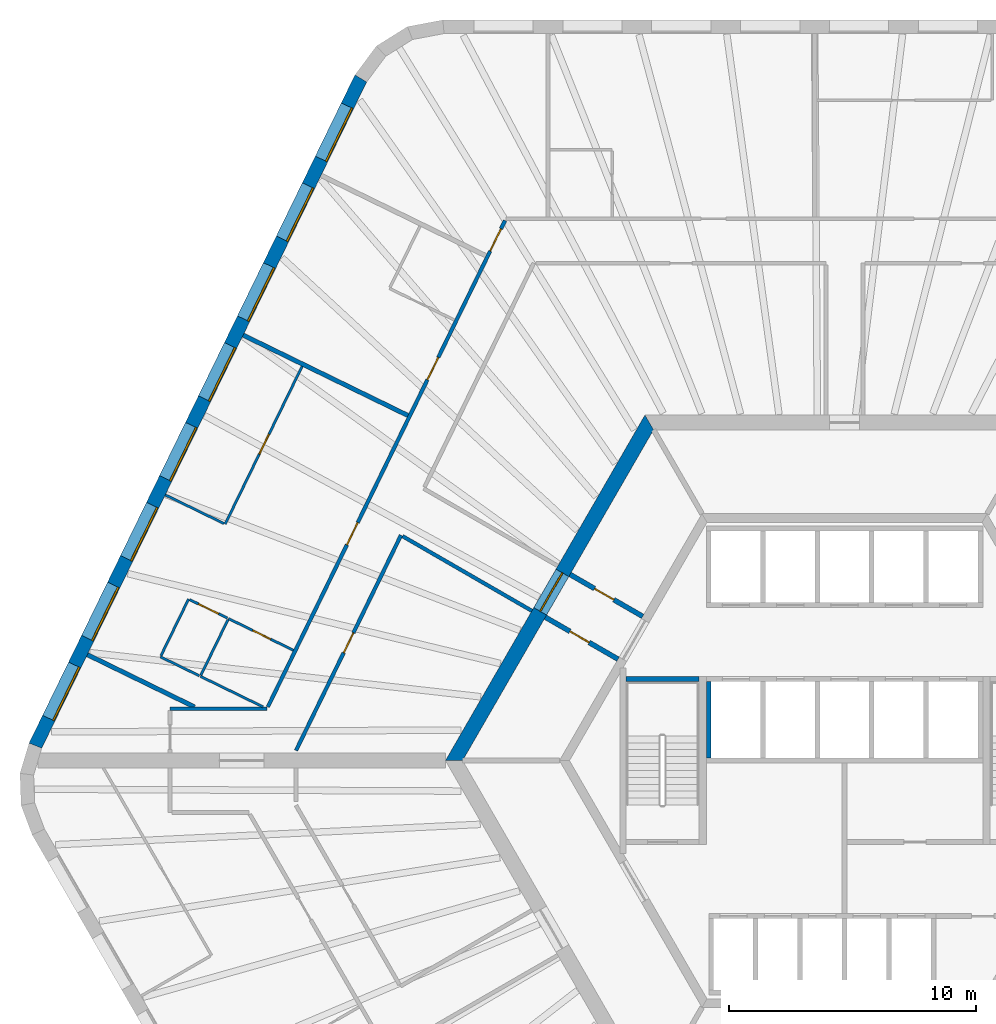
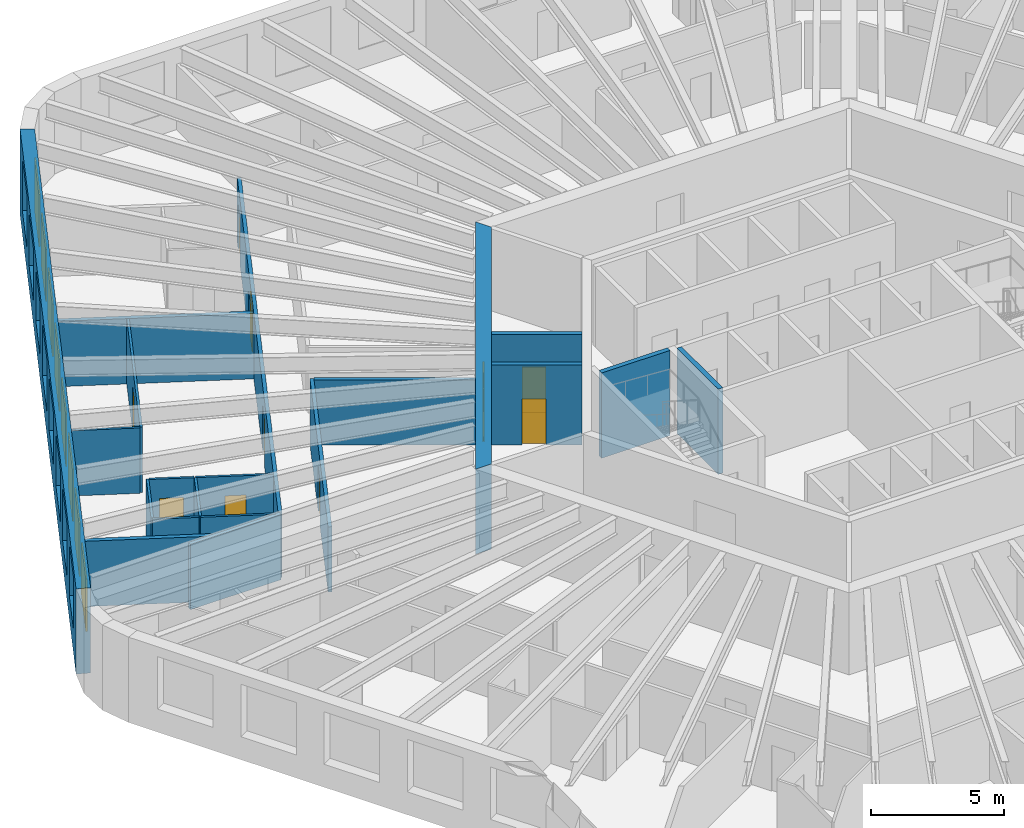
# One storey, part 7 of 12: 20 walls, 10 doors, 8 windows, 18 openings.
"""IFC4 building model written with IfcOpenShell, lengths in metres."""

from ifc_helpers import new_model, si_unit, direction, frame, frame_2d, origin, place, context, subcontext, project, spatial, polyline, rectangle, outline, extrude, material, layer, layer_set, type_object, element, fill, save


model = new_model("IFC4")

# Units and contexts
model_context = context("Model", 3, precision=1e-05, world=origin(), true_north=direction((0.0, 1.0)))
body_context = subcontext(model_context, "Body", "Model", "MODEL_VIEW")
ifc_project = project(units=[si_unit("LENGTHUNIT", "METRE"), si_unit("AREAUNIT", "SQUARE_METRE"), si_unit("VOLUMEUNIT", "CUBIC_METRE"), si_unit("PLANEANGLEUNIT", "RADIAN"), si_unit("MASSUNIT", "GRAM", prefix="KILO")], contexts=[model_context])

# Site, building, storey
site_placement = place(None, origin())
site = spatial("IfcSite", under=ifc_project, at=site_placement, CompositionType="ELEMENT")
building_placement = place(site_placement, origin())
building = spatial("IfcBuilding", under=site, at=building_placement, Name="Tarnside Tower", CompositionType="ELEMENT")
storey_placement = place(building_placement, frame((0.0, 0.0, 72.60009765625)))
storey = spatial("IfcBuildingStorey", under=building, at=storey_placement, Name="L15", CompositionType="ELEMENT", Elevation=72.60009765625)

# Wall
ifc_material_1 = material(Name="Gypsum board partition on steel studs", Category="steel")
ifc_layer_1 = layer(ifc_material_1, 0.10009765625)
ifc_layer_set_1 = layer_set([ifc_layer_1], Name="Bathroom wall 100")
wall_type_1 = type_object("IfcWallType", Name="Bathroom wall 100", PredefinedType="PARTITIONING", material=ifc_layer_set_1)
wall_1_placement = place(storey_placement, frame((-23.551025390625, 2.175048828125, 0.0), z_axis=(0.0, 0.0, 1.0), x_axis=(-0.89881903386, 0.438319910991, 0.0)))
element("IfcWall", 1, at=wall_1_placement, inside=storey, type_object=wall_type_1, Name="Bathroom wall 04096", PredefinedType="PARTITIONING", context=body_context, shape_type="SweptSolid", body=[
    extrude(rectangle(XDim=2.828857421875, YDim=0.10009765625, at=frame_2d((1.41455078125, 0.0))), origin(), (0.0, 0.0, 1.0), 2.98779296875),
])

# Wall, opening, door
wall_2_placement = place(storey_placement, frame((-24.9541015625, 5.751953125, 0.0), z_axis=(0.0, 0.0, 1.0), x_axis=(0.89880694479, -0.438344699976, 0.0)))
wall_2 = element("IfcWall", 2, at=wall_2_placement, inside=storey, type_object=wall_type_1, Name="Bathroom wall 04097", PredefinedType="PARTITIONING", context=body_context, shape_type="SweptSolid", body=[
    extrude(rectangle(XDim=2.925048828125, YDim=0.10009765625, at=frame_2d((1.46240234375, 0.0))), origin(), (0.0, 0.0, 1.0), 2.98779296875),
])
opening_1_placement = place(wall_2_placement, frame((1.10009765625, 0.0, 0.0)))
opening_1 = element("IfcOpeningElement", 3, at=opening_1_placement, cuts=wall_2, Name="Opening D-B1", PredefinedType="OPENING", context=body_context, shape_type="SweptSolid", body=[
    extrude(rectangle(XDim=0.800048828125, YDim=2.10009765625, at=frame_2d((0.39990234375, 1.050048828125))), frame((0.0, 0.06005859375, 0.0), z_axis=(0.0, -1.0, 0.0), x_axis=(1.0, 0.0, 0.0)), (0.0, 0.0, 1.0), 0.1201171875),
])
ifc_material_2 = material(Name="Timber door leaf", Category="wood")
door_type_1 = type_object("IfcDoorType", Name="Bathroom door 800", OperationType="NOTDEFINED", PredefinedType="DOOR", material=ifc_material_2)
door_1_placement = place(opening_1_placement, origin())
door_1 = element("IfcDoor", 4, at=door_1_placement, inside=storey, type_object=door_type_1, Name="Bathroom door 04011", OperationType="SINGLE_SWING_LEFT", OverallHeight=2.10009765625, OverallWidth=0.800048828125, PredefinedType="DOOR", context=body_context, shape_type="SweptSolid", body=[
    extrude(rectangle(XDim=0.800048828125, YDim=2.10009765625, at=frame_2d((0.39990234375, 1.050048828125))), frame((0.0, 0.02490234375, 0.0), z_axis=(0.0, -1.0, 0.0), x_axis=(1.0, 0.0, 0.0)), (0.0, 0.0, 1.0), 0.050048828125),
])
fill(opening_1, door_1)

# Wall
wall_3_placement = place(storey_placement, frame((-24.975830078125, 5.70703125, 0.0), z_axis=(0.0, 0.0, 1.0), x_axis=(-0.438363988158, -0.898797537761, 0.0)))
element("IfcWall", 5, at=wall_3_placement, inside=storey, type_object=wall_type_1, Name="Bathroom wall 04104", PredefinedType="PARTITIONING", context=body_context, shape_type="SweptSolid", body=[
    extrude(rectangle(XDim=2.5, YDim=0.10009765625, at=frame_2d((1.25, 0.0))), origin(), (0.0, 0.0, 1.0), 2.98779296875),
])

# Wall, opening, door
ifc_material_3 = material(Name="Concrete C40/50", Category="concrete")
ifc_layer_2 = layer(ifc_material_3, 0.199951171875)
ifc_layer_set_2 = layer_set([ifc_layer_2], Name="Core room partition 200 C40/50")
wall_type_2 = type_object("IfcWallType", Name="Core room partition 200 C40/50", PredefinedType="PARTITIONING", material=ifc_layer_set_2)
wall_4_placement = place(storey_placement, frame((-9.1748046875, 4.10888671875, 0.0), z_axis=(0.0, 0.0, 1.0), x_axis=(-0.865989465428, 0.500062241894, 0.0)))
wall_4 = element("IfcWall", 6, at=wall_4_placement, inside=storey, type_object=wall_type_2, Name="L15 core partition AC1L", PredefinedType="PARTITIONING", context=body_context, shape_type="SweptSolid", body=[
    extrude(rectangle(XDim=3.39990234375, YDim=0.199951171875, at=frame_2d((1.699951171875, 0.0))), origin(), (0.0, 0.0, 1.0), 3.64990234375),
])
opening_2_placement = place(wall_4_placement, frame((1.3505859375, 0.0, 0.0)))
opening_2 = element("IfcOpeningElement", 7, at=opening_2_placement, cuts=wall_4, Name="Opening CD-room", PredefinedType="OPENING", context=body_context, shape_type="SweptSolid", body=[
    extrude(rectangle(XDim=0.89990234375, YDim=2.10009765625, at=frame_2d((0.449951171875, 1.050048828125))), frame((0.0, 0.10986328125, 0.0), z_axis=(0.0, -1.0, 0.0), x_axis=(1.0, 0.0, 0.0)), (0.0, 0.0, 1.0), 0.219970703125),
])
ifc_material_4 = material(Name="Steel fire door", Category="steel")
door_type_2 = type_object("IfcDoorType", Name="Room door FD60 900x2100", OperationType="NOTDEFINED", PredefinedType="DOOR", material=ifc_material_4)
door_2_placement = place(opening_2_placement, origin())
door_2 = element("IfcDoor", 8, at=door_2_placement, inside=storey, type_object=door_type_2, Name="L15 core room door AX1L", OperationType="SINGLE_SWING_LEFT", OverallHeight=2.10009765625, OverallWidth=0.89990234375, PredefinedType="DOOR", context=body_context, shape_type="SweptSolid", body=[
    extrude(rectangle(XDim=0.89990234375, YDim=2.10009765625, at=frame_2d((0.449951171875, 1.050048828125))), frame((0.0, 0.02490234375, 0.0), z_axis=(0.0, -1.0, 0.0), x_axis=(1.0, 0.0, 0.0)), (0.0, 0.0, 1.0), 0.050048828125),
])
fill(opening_2, door_2)

wall_5_placement = place(storey_placement, frame((-8.1748046875, 5.841064453125, 0.0), z_axis=(0.0, 0.0, 1.0), x_axis=(-0.866020560687, 0.500008388397, 0.0)))
wall_5 = element("IfcWall", 9, at=wall_5_placement, inside=storey, type_object=wall_type_2, Name="L15 core partition AC1R", PredefinedType="PARTITIONING", context=body_context, shape_type="SweptSolid", body=[
    extrude(rectangle(XDim=3.39990234375, YDim=0.199951171875, at=frame_2d((1.699951171875, 0.0))), origin(), (0.0, 0.0, 1.0), 3.64990234375),
])
opening_3_placement = place(wall_5_placement, frame((1.349609375, 0.0, 0.0)))
opening_3 = element("IfcOpeningElement", 10, at=opening_3_placement, cuts=wall_5, Name="Opening CD-room", PredefinedType="OPENING", context=body_context, shape_type="SweptSolid", body=[
    extrude(rectangle(XDim=0.89990234375, YDim=2.10009765625, at=frame_2d((0.449951171875, 1.050048828125))), frame((0.0, 0.10986328125, 0.0), z_axis=(0.0, -1.0, 0.0), x_axis=(1.0, 0.0, 0.0)), (0.0, 0.0, 1.0), 0.219970703125),
])
door_3_placement = place(opening_3_placement, origin())
door_3 = element("IfcDoor", 11, at=door_3_placement, inside=storey, type_object=door_type_2, Name="L15 core room door AX1R", OperationType="SINGLE_SWING_LEFT", OverallHeight=2.10009765625, OverallWidth=0.89990234375, PredefinedType="DOOR", context=body_context, shape_type="SweptSolid", body=[
    extrude(rectangle(XDim=0.89990234375, YDim=2.10009765625, at=frame_2d((0.449951171875, 1.050048828125))), frame((0.0, 0.02490234375, 0.0), z_axis=(0.0, -1.0, 0.0), x_axis=(1.0, 0.0, 0.0)), (0.0, 0.0, 1.0), 0.050048828125),
])
fill(opening_3, door_3)

ifc_material_5 = material(Name="Concrete C80/95", Category="concrete")
ifc_layer_3 = layer(ifc_material_5, 0.60009765625)
ifc_layer_set_3 = layer_set([ifc_layer_3], Name="Core wall Z1 600 C80/95")
wall_type_3 = type_object("IfcWallType", Name="Core wall Z1 600 C80/95", PredefinedType="SHEAR", material=ifc_layer_set_3)
wall_6_placement = place(storey_placement, frame((-7.90966796875, 13.699951171875, -0.150146484375), z_axis=(0.0, 0.0, 1.0), x_axis=(-0.499999880136, -0.866025472988, 0.0)))
wall_6 = element("IfcWall", 12, at=wall_6_placement, inside=storey, type_object=wall_type_3, Name="L15 core wall face 2", PredefinedType="SHEAR", context=body_context, shape_type="SweptSolid", body=[
    extrude(outline(polyline([(-0.17333984375, -0.300048828125), (15.99267578125, -0.300048828125), (15.64599609375, 0.300048828125), (0.17333984375, 0.300048828125), (-0.17333984375, -0.300048828125)])), origin(), (0.0, 0.0, 1.0), 3.900146484375),
])
opening_4_placement = place(wall_6_placement, frame((7.03857421875, 0.0, 0.14990234375)))
opening_4 = element("IfcOpeningElement", 13, at=opening_4_placement, cuts=wall_6, Name="Opening CD-LOB", PredefinedType="OPENING", context=body_context, shape_type="SweptSolid", body=[
    extrude(rectangle(XDim=1.800048828125, YDim=2.39990234375, at=frame_2d((0.89990234375, 1.199951171875))), frame((0.0, 0.31005859375, 0.0), z_axis=(0.0, -1.0, 0.0), x_axis=(1.0, 0.0, 0.0)), (0.0, 0.0, 1.0), 0.6201171875),
])
door_type_3 = type_object("IfcDoorType", Name="Lobby double door FD30S 1800x2400", OperationType="NOTDEFINED", PredefinedType="DOOR", material=ifc_material_4)
door_4_placement = place(opening_4_placement, origin())
door_4 = element("IfcDoor", 14, at=door_4_placement, inside=storey, type_object=door_type_3, Name="L15 core door P1", OperationType="DOUBLE_DOOR_SINGLE_SWING", OverallHeight=2.39990234375, OverallWidth=1.800048828125, PredefinedType="DOOR", context=body_context, shape_type="SweptSolid", body=[
    extrude(rectangle(XDim=1.800048828125, YDim=2.39990234375, at=frame_2d((0.89990234375, 1.199951171875))), frame((0.0, 0.02490234375, 0.0), z_axis=(0.0, -1.0, 0.0), x_axis=(1.0, 0.0, 0.0)), (0.0, 0.0, 1.0), 0.050048828125),
])
fill(opening_4, door_4)

# Wall, openings, doors
ifc_layer_4 = layer(ifc_material_1, 0.14990234375)
ifc_layer_set_4 = layer_set([ifc_layer_4], Name="Corridor wall 150 EI 60")
wall_type_4 = type_object("IfcWallType", Name="Corridor wall 150 EI 60", PredefinedType="PARTITIONING", material=ifc_layer_set_4)
wall_7_placement = place(storey_placement, frame((-13.75244140625, 21.875, 0.0), z_axis=(0.0, 0.0, 1.0), x_axis=(-0.438374473378, -0.898792423806, 0.0)))
wall_7 = element("IfcWall", 15, at=wall_7_placement, inside=storey, type_object=wall_type_4, Name="Corridor wall 04008", PredefinedType="PARTITIONING", context=body_context, shape_type="SweptSolid", body=[
    extrude(rectangle(XDim=21.918212890625, YDim=0.14990234375, at=frame_2d((10.958984375, 0.0))), origin(), (0.0, 0.0, 1.0), 2.98779296875),
])
opening_5_placement = place(wall_7_placement, frame((0.371337890625, 0.0, 0.0)))
opening_5 = element("IfcOpeningElement", 16, at=opening_5_placement, cuts=wall_7, Name="Opening D-E1", PredefinedType="OPENING", context=body_context, shape_type="SweptSolid", body=[
    extrude(rectangle(XDim=1.0, YDim=2.10009765625, at=frame_2d((0.5, 1.050048828125))), frame((0.0, 0.0849609375, 0.0), z_axis=(0.0, -1.0, 0.0), x_axis=(1.0, 0.0, 0.0)), (0.0, 0.0, 1.0), 0.169921875),
])
opening_6_placement = place(wall_7_placement, frame((6.17138671875, 0.0, 0.0)))
opening_6 = element("IfcOpeningElement", 17, at=opening_6_placement, cuts=wall_7, Name="Opening D-E1", PredefinedType="OPENING", context=body_context, shape_type="SweptSolid", body=[
    extrude(rectangle(XDim=1.0, YDim=2.10009765625, at=frame_2d((0.5, 1.050048828125))), frame((0.0, 0.0849609375, 0.0), z_axis=(0.0, -1.0, 0.0), x_axis=(1.0, 0.0, 0.0)), (0.0, 0.0, 1.0), 0.169921875),
])
opening_7_placement = place(wall_7_placement, frame((13.611572265625, 0.0, 0.0)))
opening_7 = element("IfcOpeningElement", 18, at=opening_7_placement, cuts=wall_7, Name="Opening D-E1", PredefinedType="OPENING", context=body_context, shape_type="SweptSolid", body=[
    extrude(rectangle(XDim=1.0, YDim=2.10009765625, at=frame_2d((0.5, 1.050048828125))), frame((0.0, 0.0849609375, 0.0), z_axis=(0.0, -1.0, 0.0), x_axis=(1.0, 0.0, 0.0)), (0.0, 0.0, 1.0), 0.169921875),
])
door_type_4 = type_object("IfcDoorType", Name="Unit entrance door 1000 FD30S", OperationType="NOTDEFINED", PredefinedType="DOOR", material=ifc_material_2)
door_5_placement = place(opening_5_placement, origin())
door_5 = element("IfcDoor", 19, at=door_5_placement, inside=storey, type_object=door_type_4, Name="Unit door 04007", OperationType="SINGLE_SWING_LEFT", OverallHeight=2.10009765625, OverallWidth=1.0, PredefinedType="DOOR", context=body_context, shape_type="SweptSolid", body=[
    extrude(rectangle(XDim=1.0, YDim=2.10009765625, at=frame_2d((0.5, 1.050048828125))), frame((0.0, 0.02490234375, 0.0), z_axis=(0.0, -1.0, 0.0), x_axis=(1.0, 0.0, 0.0)), (0.0, 0.0, 1.0), 0.050048828125),
])
fill(opening_5, door_5)
door_6_placement = place(opening_6_placement, origin())
door_6 = element("IfcDoor", 20, at=door_6_placement, inside=storey, type_object=door_type_4, Name="Unit door 04008", OperationType="SINGLE_SWING_LEFT", OverallHeight=2.10009765625, OverallWidth=1.0, PredefinedType="DOOR", context=body_context, shape_type="SweptSolid", body=[
    extrude(rectangle(XDim=1.0, YDim=2.10009765625, at=frame_2d((0.5, 1.050048828125))), frame((0.0, 0.02490234375, 0.0), z_axis=(0.0, -1.0, 0.0), x_axis=(1.0, 0.0, 0.0)), (0.0, 0.0, 1.0), 0.050048828125),
])
fill(opening_6, door_6)
door_7_placement = place(opening_7_placement, origin())
door_7 = element("IfcDoor", 21, at=door_7_placement, inside=storey, type_object=door_type_4, Name="Unit door 04010", OperationType="SINGLE_SWING_LEFT", OverallHeight=2.10009765625, OverallWidth=1.0, PredefinedType="DOOR", context=body_context, shape_type="SweptSolid", body=[
    extrude(rectangle(XDim=1.0, YDim=2.10009765625, at=frame_2d((0.5, 1.050048828125))), frame((0.0, 0.02490234375, 0.0), z_axis=(0.0, -1.0, 0.0), x_axis=(1.0, 0.0, 0.0)), (0.0, 0.0, 1.0), 0.050048828125),
])
fill(opening_7, door_7)

# Wall
wall_8_placement = place(storey_placement, frame((-23.3974609375, 2.10009765625, 0.0), z_axis=(0.0, 0.0, 1.0), x_axis=(-1.0, 0.0, 0.0)))
element("IfcWall", 22, at=wall_8_placement, inside=storey, type_object=wall_type_4, Name="Corridor wall 04011", PredefinedType="PARTITIONING", context=body_context, shape_type="SweptSolid", body=[
    extrude(rectangle(XDim=3.9228515625, YDim=0.14990234375, at=frame_2d((1.96142578125, 0.0))), origin(), (0.0, 0.0, 1.0), 2.98779296875),
])

# Wall, opening, door
wall_9_placement = place(storey_placement, frame((-22.218994140625, 0.41015625, 0.0), z_axis=(0.0, 0.0, 1.0), x_axis=(0.438391891827, 0.898783927972, 0.0)))
wall_9 = element("IfcWall", 23, at=wall_9_placement, inside=storey, type_object=wall_type_4, Name="Corridor wall 04023", PredefinedType="PARTITIONING", context=body_context, shape_type="SweptSolid", body=[
    extrude(rectangle(XDim=9.698974609375, YDim=0.14990234375, at=frame_2d((4.849609375, 0.0))), origin(), (0.0, 0.0, 1.0), 2.98779296875),
])
opening_8_placement = place(wall_9_placement, frame((4.399658203125, 0.0, 0.0)))
opening_8 = element("IfcOpeningElement", 24, at=opening_8_placement, cuts=wall_9, Name="Opening D-S1", PredefinedType="OPENING", context=body_context, shape_type="SweptSolid", body=[
    extrude(rectangle(XDim=0.89990234375, YDim=2.10009765625, at=frame_2d((0.449951171875, 1.050048828125))), frame((0.0, 0.0849609375, 0.0), z_axis=(0.0, -1.0, 0.0), x_axis=(1.0, 0.0, 0.0)), (0.0, 0.0, 1.0), 0.169921875),
])
door_type_5 = type_object("IfcDoorType", Name="Service room door 900 FD30S", OperationType="NOTDEFINED", PredefinedType="DOOR", material=ifc_material_2)
door_8_placement = place(opening_8_placement, origin())
door_8 = element("IfcDoor", 25, at=door_8_placement, inside=storey, type_object=door_type_5, Name="Service door 04043", OperationType="SINGLE_SWING_LEFT", OverallHeight=2.10009765625, OverallWidth=0.89990234375, PredefinedType="DOOR", context=body_context, shape_type="SweptSolid", body=[
    extrude(rectangle(XDim=0.89990234375, YDim=2.10009765625, at=frame_2d((0.449951171875, 1.050048828125))), frame((0.0, 0.02490234375, 0.0), z_axis=(0.0, -1.0, 0.0), x_axis=(1.0, 0.0, 0.0)), (0.0, 0.0, 1.0), 0.050048828125),
])
fill(opening_8, door_8)

# Walls
wall_10_placement = place(storey_placement, frame((-17.902099609375, 9.08984375, 0.0), z_axis=(0.0, 0.0, 1.0), x_axis=(0.866036368755, -0.499981007633, 0.0)))
element("IfcWall", 26, at=wall_10_placement, inside=storey, type_object=wall_type_4, Name="Corridor wall 04024", PredefinedType="PARTITIONING", context=body_context, shape_type="SweptSolid", body=[
    extrude(rectangle(XDim=6.048583984375, YDim=0.14990234375, at=frame_2d((3.0244140625, 0.0))), origin(), (0.0, 0.0, 1.0), 2.98779296875),
])
ifc_layer_5 = layer(ifc_material_1, 0.179931640625)
ifc_layer_set_5 = layer_set([ifc_layer_5], Name="Demising wall 180 EI 60")
wall_type_5 = type_object("IfcWallType", Name="Demising wall 180 EI 60", PredefinedType="PARTITIONING", material=ifc_layer_set_5)
wall_11_placement = place(storey_placement, frame((-24.3603515625, 17.234130859375, 0.0), z_axis=(0.0, 0.0, 1.0), x_axis=(0.898796252669, -0.438366623032, 0.0)))
element("IfcWall", 27, at=wall_11_placement, inside=storey, type_object=wall_type_5, Name="Demising wall 04094", PredefinedType="PARTITIONING", context=body_context, shape_type="SweptSolid", body=[
    extrude(rectangle(XDim=7.425048828125, YDim=0.179931640625, at=frame_2d((3.71240234375, 0.0))), origin(), (0.0, 0.0, 1.0), 2.98779296875),
])
wall_12_placement = place(storey_placement, frame((-30.673095703125, 4.29150390625, 0.0), z_axis=(0.0, 0.0, 1.0), x_axis=(0.898812662672, -0.438332975512, 0.0)))
element("IfcWall", 28, at=wall_12_placement, inside=storey, type_object=wall_type_5, Name="Demising wall 04103", PredefinedType="PARTITIONING", context=body_context, shape_type="SweptSolid", body=[
    extrude(rectangle(XDim=4.828369140625, YDim=0.179931640625, at=frame_2d((2.4140625, 0.0))), origin(), (0.0, 0.0, 1.0), 2.98779296875),
])
ifc_layer_6 = layer(ifc_material_3, 0.199951171875)
ifc_layer_set_6 = layer_set([ifc_layer_6], Name="Lift shaft wall 200 C40/50")
wall_type_6 = type_object("IfcWallType", Name="Lift shaft wall 200 C40/50", PredefinedType="SHEAR", material=ifc_layer_set_6)
wall_13_placement = place(storey_placement, frame((-5.5, 0.10009765625, -0.25), z_axis=(0.0, 0.0, 1.0), x_axis=(0.0, 1.0, 0.0)))
element("IfcWall", 29, at=wall_13_placement, inside=storey, type_object=wall_type_6, Name="L15 lift shaft partition R21", PredefinedType="SHEAR", context=body_context, shape_type="SweptSolid", body=[
    extrude(rectangle(XDim=3.099853515625, YDim=0.199951171875, at=frame_2d((1.5498046875, 0.0))), origin(), (0.0, 0.0, 1.0), 3.89990234375),
])
wall_14_placement = place(storey_placement, frame((-8.85009765625, 3.300048828125, -0.25), z_axis=(0.0, 0.0, 1.0), x_axis=(1.0, 0.0, 0.0)))
element("IfcWall", 30, at=wall_14_placement, inside=storey, type_object=wall_type_6, Name="L15 stair 2 enclosure cap wall n", PredefinedType="SHEAR", context=body_context, shape_type="SweptSolid", body=[
    extrude(rectangle(XDim=2.9501953125, YDim=0.199951171875, at=frame_2d((1.47509765625, 0.0))), origin(), (0.0, 0.0, 1.0), 3.89990234375),
])
ifc_layer_7 = layer(ifc_material_1, 0.10009765625)
ifc_layer_set_7 = layer_set([ifc_layer_7], Name="Partition 100")
wall_type_7 = type_object("IfcWallType", Name="Partition 100", PredefinedType="PARTITIONING", material=ifc_layer_set_7)
wall_15_placement = place(storey_placement, frame((-26.138671875, 3.43701171875, 0.0), z_axis=(0.0, 0.0, 1.0), x_axis=(-0.89881938742, 0.438319185981, 0.0)))
element("IfcWall", 31, at=wall_15_placement, inside=storey, type_object=wall_type_7, Name="Partition wall 04098", PredefinedType="PARTITIONING", context=body_context, shape_type="SweptSolid", body=[
    extrude(rectangle(XDim=1.75, YDim=0.10009765625, at=frame_2d((0.875, 0.0))), origin(), (0.0, 0.0, 1.0), 2.98779296875),
])
wall_16_placement = place(storey_placement, frame((-27.689697265625, 4.2490234375, 0.0), z_axis=(0.0, 0.0, 1.0), x_axis=(0.438384020656, 0.898787767181, 0.0)))
element("IfcWall", 32, at=wall_16_placement, inside=storey, type_object=wall_type_7, Name="Partition wall 04099", PredefinedType="PARTITIONING", context=body_context, shape_type="SweptSolid", body=[
    extrude(rectangle(XDim=2.550048828125, YDim=0.10009765625, at=frame_2d((1.27490234375, 0.0))), origin(), (0.0, 0.0, 1.0), 2.98779296875),
])

# Wall, opening, door
wall_17_placement = place(storey_placement, frame((-26.52685546875, 6.51904296875, 0.0), z_axis=(0.0, 0.0, 1.0), x_axis=(0.898807091918, -0.438344398296, 0.0)))
wall_17 = element("IfcWall", 33, at=wall_17_placement, inside=storey, type_object=wall_type_7, Name="Partition wall 04100", PredefinedType="PARTITIONING", context=body_context, shape_type="SweptSolid", body=[
    extrude(rectangle(XDim=1.699951171875, YDim=0.10009765625, at=frame_2d((0.85009765625, 0.0))), origin(), (0.0, 0.0, 1.0), 2.98779296875),
])
opening_9_placement = place(wall_17_placement, frame((0.39990234375, 0.0, 0.0)))
opening_9 = element("IfcOpeningElement", 34, at=opening_9_placement, cuts=wall_17, Name="Opening D-I1", PredefinedType="OPENING", context=body_context, shape_type="SweptSolid", body=[
    extrude(rectangle(XDim=0.89990234375, YDim=2.10009765625, at=frame_2d((0.449951171875, 1.050048828125))), frame((0.0, 0.06005859375, 0.0), z_axis=(0.0, -1.0, 0.0), x_axis=(1.0, 0.0, 0.0)), (0.0, 0.0, 1.0), 0.1201171875),
])
door_type_6 = type_object("IfcDoorType", Name="Internal door 900", OperationType="NOTDEFINED", PredefinedType="DOOR", material=ifc_material_2)
door_9_placement = place(opening_9_placement, origin())
door_9 = element("IfcDoor", 35, at=door_9_placement, inside=storey, type_object=door_type_6, Name="Internal door 04012", OperationType="SINGLE_SWING_RIGHT", OverallHeight=2.10009765625, OverallWidth=0.89990234375, PredefinedType="DOOR", context=body_context, shape_type="SweptSolid", body=[
    extrude(rectangle(XDim=0.89990234375, YDim=2.10009765625, at=frame_2d((0.449951171875, 1.050048828125))), frame((0.0, 0.02490234375, 0.0), z_axis=(0.0, -1.0, 0.0), x_axis=(1.0, 0.0, 0.0)), (0.0, 0.0, 1.0), 0.050048828125),
])
fill(opening_9, door_9)

wall_18_placement = place(storey_placement, frame((-21.97314453125, 15.9697265625, 0.0), z_axis=(0.0, 0.0, 1.0), x_axis=(-0.438360036982, -0.898799464829, 0.0)))
wall_18 = element("IfcWall", 36, at=wall_18_placement, inside=storey, type_object=wall_type_7, Name="Partition wall 04101", PredefinedType="PARTITIONING", context=body_context, shape_type="SweptSolid", body=[
    extrude(rectangle(XDim=7.10986328125, YDim=0.10009765625, at=frame_2d((3.554931640625, 0.0))), origin(), (0.0, 0.0, 1.0), 2.98779296875),
])
opening_10_placement = place(wall_18_placement, frame((3.06005859375, 0.0, 0.0)))
opening_10 = element("IfcOpeningElement", 37, at=opening_10_placement, cuts=wall_18, Name="Opening D-I1", PredefinedType="OPENING", context=body_context, shape_type="SweptSolid", body=[
    extrude(rectangle(XDim=0.89990234375, YDim=2.10009765625, at=frame_2d((0.449951171875, 1.050048828125))), frame((0.0, 0.06005859375, 0.0), z_axis=(0.0, -1.0, 0.0), x_axis=(1.0, 0.0, 0.0)), (0.0, 0.0, 1.0), 0.1201171875),
])
door_10_placement = place(opening_10_placement, origin())
door_10 = element("IfcDoor", 38, at=door_10_placement, inside=storey, type_object=door_type_6, Name="Internal door 04013", OperationType="SINGLE_SWING_RIGHT", OverallHeight=2.10009765625, OverallWidth=0.89990234375, PredefinedType="DOOR", context=body_context, shape_type="SweptSolid", body=[
    extrude(rectangle(XDim=0.89990234375, YDim=2.10009765625, at=frame_2d((0.449951171875, 1.050048828125))), frame((0.0, 0.02490234375, 0.0), z_axis=(0.0, -1.0, 0.0), x_axis=(1.0, 0.0, 0.0)), (0.0, 0.0, 1.0), 0.050048828125),
])
fill(opening_10, door_10)

# Wall
wall_19_placement = place(storey_placement, frame((-25.135009765625, 9.601318359375, 0.0), z_axis=(0.0, 0.0, 1.0), x_axis=(-0.898787925725, 0.438383695602, 0.0)))
element("IfcWall", 39, at=wall_19_placement, inside=storey, type_object=wall_type_7, Name="Partition wall 04102", PredefinedType="PARTITIONING", context=body_context, shape_type="SweptSolid", body=[
    extrude(rectangle(XDim=2.64990234375, YDim=0.10009765625, at=frame_2d((1.324951171875, 0.0))), origin(), (0.0, 0.0, 1.0), 2.98779296875),
])

# Wall, openings, windows
ifc_material_6 = material(Name="Facing brick", Category="masonry")
ifc_layer_8 = layer(ifc_material_6, 0.10205078125)
ifc_material_7 = material(Name="Concrete C60/75 precast", Category="concrete")
ifc_layer_9 = layer(ifc_material_7, 0.347900390625)
ifc_material_8 = material(Name="Mineral wool insulation")
ifc_layer_10 = layer(ifc_material_8, 0.10009765625)
ifc_layer_set_8 = layer_set([ifc_layer_8, ifc_layer_9, ifc_layer_10], Name="Tube wall 550 brick faced")
wall_type_8 = type_object("IfcWallType", Name="Tube wall 550 brick faced", PredefinedType="SOLIDWALL", material=ifc_layer_set_8)
wall_20_placement = place(storey_placement, frame((-19.5947265625, 27.6328125, -0.150146484375), z_axis=(0.0, 0.0, 1.0), x_axis=(-0.438368285794, -0.898795441694, 0.0)))
wall_20 = element("IfcWall", 40, at=wall_20_placement, inside=storey, type_object=wall_type_8, Name="Tube wall L15 F2 flush 04", PredefinedType="SOLIDWALL", context=body_context, shape_type="SweptSolid", body=[
    extrude(outline(polyline([(-0.025634765625, -0.27490234375), (30.09326171875, -0.27490234375), (30.04833984375, 0.27490234375), (0.025634765625, 0.27490234375), (-0.025634765625, -0.27490234375)])), origin(), (0.0, 0.0, 1.0), 3.900146484375),
])
opening_11_placement = place(wall_20_placement, frame((1.235595703125, 0.0, 1.050048828125)))
opening_11 = element("IfcOpeningElement", 41, at=opening_11_placement, cuts=wall_20, Name="Opening WH", PredefinedType="OPENING", context=body_context, shape_type="SweptSolid", body=[
    extrude(rectangle(XDim=2.39990234375, YDim=2.39990234375, at=frame_2d((1.199951171875, 1.199951171875))), frame((0.0, 0.28515625, 0.0), z_axis=(0.0, -1.0, 0.0), x_axis=(1.0, 0.0, 0.0)), (0.0, 0.0, 1.0), 0.570068359375),
])
opening_12_placement = place(wall_20_placement, frame((4.83544921875, 0.0, 1.050048828125)))
opening_12 = element("IfcOpeningElement", 42, at=opening_12_placement, cuts=wall_20, Name="Opening WH", PredefinedType="OPENING", context=body_context, shape_type="SweptSolid", body=[
    extrude(rectangle(XDim=2.39990234375, YDim=2.39990234375, at=frame_2d((1.199951171875, 1.199951171875))), frame((0.0, 0.28515625, 0.0), z_axis=(0.0, -1.0, 0.0), x_axis=(1.0, 0.0, 0.0)), (0.0, 0.0, 1.0), 0.570068359375),
])
opening_13_placement = place(wall_20_placement, frame((8.435546875, 0.0, 1.050048828125)))
opening_13 = element("IfcOpeningElement", 43, at=opening_13_placement, cuts=wall_20, Name="Opening WH", PredefinedType="OPENING", context=body_context, shape_type="SweptSolid", body=[
    extrude(rectangle(XDim=2.39990234375, YDim=2.39990234375, at=frame_2d((1.199951171875, 1.199951171875))), frame((0.0, 0.28515625, 0.0), z_axis=(0.0, -1.0, 0.0), x_axis=(1.0, 0.0, 0.0)), (0.0, 0.0, 1.0), 0.570068359375),
])
opening_14_placement = place(wall_20_placement, frame((12.035400390625, 0.0, 1.050048828125)))
opening_14 = element("IfcOpeningElement", 44, at=opening_14_placement, cuts=wall_20, Name="Opening WH", PredefinedType="OPENING", context=body_context, shape_type="SweptSolid", body=[
    extrude(rectangle(XDim=2.39990234375, YDim=2.39990234375, at=frame_2d((1.199951171875, 1.199951171875))), frame((0.0, 0.28515625, 0.0), z_axis=(0.0, -1.0, 0.0), x_axis=(1.0, 0.0, 0.0)), (0.0, 0.0, 1.0), 0.570068359375),
])
opening_15_placement = place(wall_20_placement, frame((15.635498046875, 0.0, 1.050048828125)))
opening_15 = element("IfcOpeningElement", 45, at=opening_15_placement, cuts=wall_20, Name="Opening WH", PredefinedType="OPENING", context=body_context, shape_type="SweptSolid", body=[
    extrude(rectangle(XDim=2.39990234375, YDim=2.39990234375, at=frame_2d((1.199951171875, 1.199951171875))), frame((0.0, 0.28515625, 0.0), z_axis=(0.0, -1.0, 0.0), x_axis=(1.0, 0.0, 0.0)), (0.0, 0.0, 1.0), 0.570068359375),
])
opening_16_placement = place(wall_20_placement, frame((19.235595703125, 0.0, 1.050048828125)))
opening_16 = element("IfcOpeningElement", 46, at=opening_16_placement, cuts=wall_20, Name="Opening WH", PredefinedType="OPENING", context=body_context, shape_type="SweptSolid", body=[
    extrude(rectangle(XDim=2.39990234375, YDim=2.39990234375, at=frame_2d((1.199951171875, 1.199951171875))), frame((0.0, 0.28515625, 0.0), z_axis=(0.0, -1.0, 0.0), x_axis=(1.0, 0.0, 0.0)), (0.0, 0.0, 1.0), 0.570068359375),
])
opening_17_placement = place(wall_20_placement, frame((22.83544921875, 0.0, 1.050048828125)))
opening_17 = element("IfcOpeningElement", 47, at=opening_17_placement, cuts=wall_20, Name="Opening WH", PredefinedType="OPENING", context=body_context, shape_type="SweptSolid", body=[
    extrude(rectangle(XDim=2.39990234375, YDim=2.39990234375, at=frame_2d((1.199951171875, 1.199951171875))), frame((0.0, 0.28515625, 0.0), z_axis=(0.0, -1.0, 0.0), x_axis=(1.0, 0.0, 0.0)), (0.0, 0.0, 1.0), 0.570068359375),
])
opening_18_placement = place(wall_20_placement, frame((26.435546875, 0.0, 1.050048828125)))
opening_18 = element("IfcOpeningElement", 48, at=opening_18_placement, cuts=wall_20, Name="Opening WH", PredefinedType="OPENING", context=body_context, shape_type="SweptSolid", body=[
    extrude(rectangle(XDim=2.39990234375, YDim=2.39990234375, at=frame_2d((1.199951171875, 1.199951171875))), frame((0.0, 0.28515625, 0.0), z_axis=(0.0, -1.0, 0.0), x_axis=(1.0, 0.0, 0.0)), (0.0, 0.0, 1.0), 0.570068359375),
])
ifc_material_9 = material(Name="Aluminium-framed double glazing", Category="aluminium")
window_type = type_object("IfcWindowType", Name="Hotel window 2400 x 2400", PartitioningType="DOUBLE_PANEL_VERTICAL", PredefinedType="WINDOW", material=ifc_material_9)
window_1_placement = place(opening_11_placement, frame((0.0, 0.205078125, 0.0)))
window_1 = element("IfcWindow", 49, at=window_1_placement, inside=storey, type_object=window_type, Name="E.WN.L15.F2.00", OverallHeight=2.39990234375, OverallWidth=2.39990234375, PartitioningType="DOUBLE_PANEL_VERTICAL", PredefinedType="WINDOW", context=body_context, shape_type="SweptSolid", body=[
    extrude(rectangle(XDim=2.39990234375, YDim=2.39990234375, at=frame_2d((1.199951171875, 1.199951171875))), frame((0.0, 0.030029296875, 0.0), z_axis=(0.0, -1.0, 0.0), x_axis=(1.0, 0.0, 0.0)), (0.0, 0.0, 1.0), 0.06005859375),
])
fill(opening_11, window_1)
window_2_placement = place(opening_12_placement, frame((0.0, 0.205078125, 0.0)))
window_2 = element("IfcWindow", 50, at=window_2_placement, inside=storey, type_object=window_type, Name="E.WN.L15.F2.01", OverallHeight=2.39990234375, OverallWidth=2.39990234375, PartitioningType="DOUBLE_PANEL_VERTICAL", PredefinedType="WINDOW", context=body_context, shape_type="SweptSolid", body=[
    extrude(rectangle(XDim=2.39990234375, YDim=2.39990234375, at=frame_2d((1.199951171875, 1.199951171875))), frame((0.0, 0.030029296875, 0.0), z_axis=(0.0, -1.0, 0.0), x_axis=(1.0, 0.0, 0.0)), (0.0, 0.0, 1.0), 0.06005859375),
])
fill(opening_12, window_2)
window_3_placement = place(opening_13_placement, frame((0.0, 0.205078125, 0.0)))
window_3 = element("IfcWindow", 51, at=window_3_placement, inside=storey, type_object=window_type, Name="E.WN.L15.F2.02", OverallHeight=2.39990234375, OverallWidth=2.39990234375, PartitioningType="DOUBLE_PANEL_VERTICAL", PredefinedType="WINDOW", context=body_context, shape_type="SweptSolid", body=[
    extrude(rectangle(XDim=2.39990234375, YDim=2.39990234375, at=frame_2d((1.199951171875, 1.199951171875))), frame((0.0, 0.030029296875, 0.0), z_axis=(0.0, -1.0, 0.0), x_axis=(1.0, 0.0, 0.0)), (0.0, 0.0, 1.0), 0.06005859375),
])
fill(opening_13, window_3)
window_4_placement = place(opening_14_placement, frame((0.0, 0.205078125, 0.0)))
window_4 = element("IfcWindow", 52, at=window_4_placement, inside=storey, type_object=window_type, Name="E.WN.L15.F2.03", OverallHeight=2.39990234375, OverallWidth=2.39990234375, PartitioningType="DOUBLE_PANEL_VERTICAL", PredefinedType="WINDOW", context=body_context, shape_type="SweptSolid", body=[
    extrude(rectangle(XDim=2.39990234375, YDim=2.39990234375, at=frame_2d((1.199951171875, 1.199951171875))), frame((0.0, 0.030029296875, 0.0), z_axis=(0.0, -1.0, 0.0), x_axis=(1.0, 0.0, 0.0)), (0.0, 0.0, 1.0), 0.06005859375),
])
fill(opening_14, window_4)
window_5_placement = place(opening_15_placement, frame((0.0, 0.205078125, 0.0)))
window_5 = element("IfcWindow", 53, at=window_5_placement, inside=storey, type_object=window_type, Name="E.WN.L15.F2.04", OverallHeight=2.39990234375, OverallWidth=2.39990234375, PartitioningType="DOUBLE_PANEL_VERTICAL", PredefinedType="WINDOW", context=body_context, shape_type="SweptSolid", body=[
    extrude(rectangle(XDim=2.39990234375, YDim=2.39990234375, at=frame_2d((1.199951171875, 1.199951171875))), frame((0.0, 0.030029296875, 0.0), z_axis=(0.0, -1.0, 0.0), x_axis=(1.0, 0.0, 0.0)), (0.0, 0.0, 1.0), 0.06005859375),
])
fill(opening_15, window_5)
window_6_placement = place(opening_16_placement, frame((0.0, 0.205078125, 0.0)))
window_6 = element("IfcWindow", 54, at=window_6_placement, inside=storey, type_object=window_type, Name="E.WN.L15.F2.05", OverallHeight=2.39990234375, OverallWidth=2.39990234375, PartitioningType="DOUBLE_PANEL_VERTICAL", PredefinedType="WINDOW", context=body_context, shape_type="SweptSolid", body=[
    extrude(rectangle(XDim=2.39990234375, YDim=2.39990234375, at=frame_2d((1.199951171875, 1.199951171875))), frame((0.0, 0.030029296875, 0.0), z_axis=(0.0, -1.0, 0.0), x_axis=(1.0, 0.0, 0.0)), (0.0, 0.0, 1.0), 0.06005859375),
])
fill(opening_16, window_6)
window_7_placement = place(opening_17_placement, frame((0.0, 0.205078125, 0.0)))
window_7 = element("IfcWindow", 55, at=window_7_placement, inside=storey, type_object=window_type, Name="E.WN.L15.F2.06", OverallHeight=2.39990234375, OverallWidth=2.39990234375, PartitioningType="DOUBLE_PANEL_VERTICAL", PredefinedType="WINDOW", context=body_context, shape_type="SweptSolid", body=[
    extrude(rectangle(XDim=2.39990234375, YDim=2.39990234375, at=frame_2d((1.199951171875, 1.199951171875))), frame((0.0, 0.030029296875, 0.0), z_axis=(0.0, -1.0, 0.0), x_axis=(1.0, 0.0, 0.0)), (0.0, 0.0, 1.0), 0.06005859375),
])
fill(opening_17, window_7)
window_8_placement = place(opening_18_placement, frame((0.0, 0.205078125, 0.0)))
window_8 = element("IfcWindow", 56, at=window_8_placement, inside=storey, type_object=window_type, Name="E.WN.L15.F2.07", OverallHeight=2.39990234375, OverallWidth=2.39990234375, PartitioningType="DOUBLE_PANEL_VERTICAL", PredefinedType="WINDOW", context=body_context, shape_type="SweptSolid", body=[
    extrude(rectangle(XDim=2.39990234375, YDim=2.39990234375, at=frame_2d((1.199951171875, 1.199951171875))), frame((0.0, 0.030029296875, 0.0), z_axis=(0.0, -1.0, 0.0), x_axis=(1.0, 0.0, 0.0)), (0.0, 0.0, 1.0), 0.06005859375),
])
fill(opening_18, window_8)

save(model, "model.ifc")
